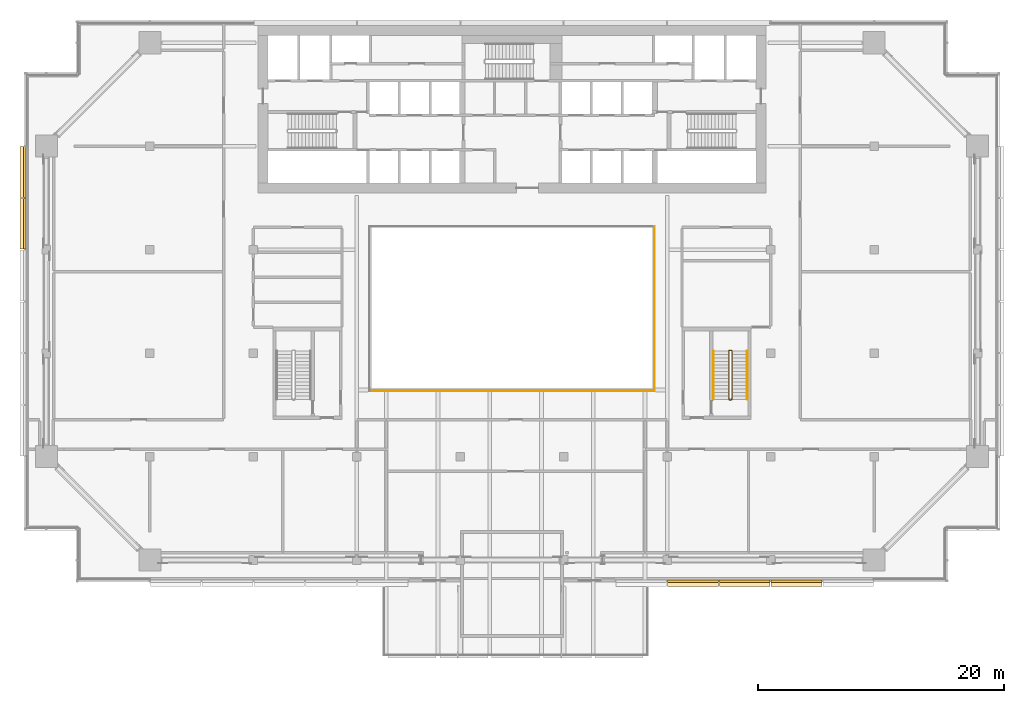
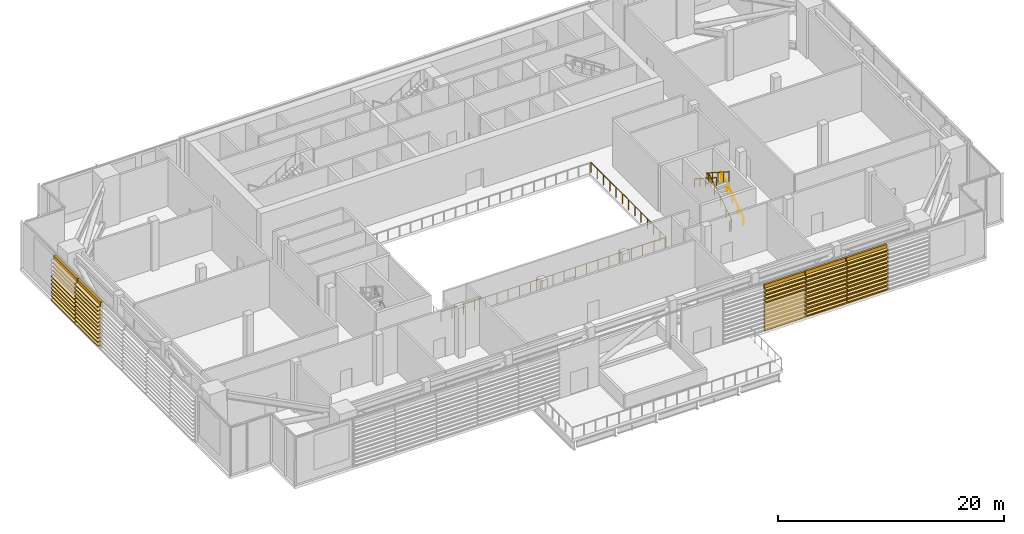
# One storey, part 27 of 29: 49 coverings, 5 railings.
"""IFC4 building model written with IfcOpenShell, lengths in metres."""

from ifc_helpers import new_model, si_unit, direction, frame, origin, origin_2d, place, context, subcontext, project, spatial, polyline, circle, outline, extrude, material, layer, layer_set, type_object, element, save


model = new_model("IFC4")

# Units and contexts
model_context = context("Model", 3, precision=1e-05, world=origin(), true_north=direction((0.0, 1.0)))
body_context = subcontext(model_context, "Body", "Model", "MODEL_VIEW")
ifc_project = project(units=[si_unit("LENGTHUNIT", "METRE"), si_unit("AREAUNIT", "SQUARE_METRE"), si_unit("VOLUMEUNIT", "CUBIC_METRE"), si_unit("PLANEANGLEUNIT", "RADIAN"), si_unit("MASSUNIT", "GRAM", prefix="KILO")], contexts=[model_context])

# Site, building, storey
site_placement = place(None, origin())
site = spatial("IfcSite", under=ifc_project, at=site_placement, CompositionType="ELEMENT")
building_placement = place(site_placement, origin())
building = spatial("IfcBuilding", under=site, at=building_placement, Name="Saffron Gate Tower", CompositionType="ELEMENT")
storey_placement = place(building_placement, frame((0.0, 0.0, 142.050048828125)))
storey = spatial("IfcBuildingStorey", under=building, at=storey_placement, Name="L34", CompositionType="ELEMENT", Elevation=142.050048828125)

# Railings
ifc_material_1 = material(Name="Stainless steel and laminated glass", Category="steel")
railing_type_1 = type_object("IfcRailingType", Name="AG1 Atrium edge guard 1100", PredefinedType="GUARDRAIL", material=ifc_material_1)
railing_1_placement = place(storey_placement, frame((99.179931640625, 58.860107421875, 0.0)))
element("IfcRailing", 1, at=railing_1_placement, inside=storey, type_object=railing_type_1, Name="Guard SL-3", PredefinedType="GUARDRAIL", context=body_context, shape_type="SweptSolid", body=[
    extrude(circle(Radius=0.02392578125, at=origin_2d()), frame((0.0, 0.0, 1.076171875), z_axis=(0.0, -1.0, 0.0), x_axis=(1.0, 0.0, 0.0)), (0.0, 0.0, 1.0), 13.320068359375),
    extrude(circle(Radius=0.02099609375, at=origin_2d()), origin(), (0.0, 0.0, 1.0), 1.052001953125),
    extrude(circle(Radius=0.02099609375, at=origin_2d()), frame((0.0, -1.110107421875, 0.0)), (0.0, 0.0, 1.0), 1.052001953125),
    extrude(circle(Radius=0.02099609375, at=origin_2d()), frame((0.0, -2.219970703125, 0.0)), (0.0, 0.0, 1.0), 1.052001953125),
    extrude(circle(Radius=0.02099609375, at=origin_2d()), frame((0.0, -3.330078125, 0.0)), (0.0, 0.0, 1.0), 1.052001953125),
    extrude(circle(Radius=0.02099609375, at=origin_2d()), frame((0.0, -4.43994140625, 0.0)), (0.0, 0.0, 1.0), 1.052001953125),
    extrude(circle(Radius=0.02099609375, at=origin_2d()), frame((0.0, -5.550048828125, 0.0)), (0.0, 0.0, 1.0), 1.052001953125),
    extrude(circle(Radius=0.02099609375, at=origin_2d()), frame((0.0, -6.66015625, 0.0)), (0.0, 0.0, 1.0), 1.052001953125),
    extrude(circle(Radius=0.02099609375, at=origin_2d()), frame((0.0, -7.77001953125, 0.0)), (0.0, 0.0, 1.0), 1.052001953125),
    extrude(circle(Radius=0.02099609375, at=origin_2d()), frame((0.0, -8.880126953125, 0.0)), (0.0, 0.0, 1.0), 1.052001953125),
    extrude(circle(Radius=0.02099609375, at=origin_2d()), frame((0.0, -9.989990234375, 0.0)), (0.0, 0.0, 1.0), 1.052001953125),
    extrude(circle(Radius=0.02099609375, at=origin_2d()), frame((0.0, -11.10009765625, 0.0)), (0.0, 0.0, 1.0), 1.052001953125),
    extrude(circle(Radius=0.02099609375, at=origin_2d()), frame((0.0, -12.2099609375, 0.0)), (0.0, 0.0, 1.0), 1.052001953125),
    extrude(circle(Radius=0.02099609375, at=origin_2d()), frame((0.0, -13.320068359375, 0.0)), (0.0, 0.0, 1.0), 1.052001953125),
])
railing_2_placement = place(storey_placement, frame((99.06005859375, 45.5400390625, 0.0)))
element("IfcRailing", 2, at=railing_2_placement, inside=storey, type_object=railing_type_1, Name="Guard SL-4", PredefinedType="GUARDRAIL", context=body_context, shape_type="SweptSolid", body=[
    extrude(circle(Radius=0.02392578125, at=origin_2d()), frame((0.0, 0.0, 1.076171875), z_axis=(-1.0, 0.0, 0.0), x_axis=(0.0, -1.0, 0.0)), (0.0, 0.0, 1.0), 22.920166015625),
    extrude(circle(Radius=0.02099609375, at=origin_2d()), origin(), (0.0, 0.0, 1.0), 1.052001953125),
    extrude(circle(Radius=0.02099609375, at=origin_2d()), frame((-1.14599609375, 0.0, 0.0)), (0.0, 0.0, 1.0), 1.052001953125),
    extrude(circle(Radius=0.02099609375, at=origin_2d()), frame((-2.2919921875, 0.0, 0.0)), (0.0, 0.0, 1.0), 1.052001953125),
    extrude(circle(Radius=0.02099609375, at=origin_2d()), frame((-3.43798828125, 0.0, 0.0)), (0.0, 0.0, 1.0), 1.052001953125),
    extrude(circle(Radius=0.02099609375, at=origin_2d()), frame((-4.583984375, 0.0, 0.0)), (0.0, 0.0, 1.0), 1.052001953125),
    extrude(circle(Radius=0.02099609375, at=origin_2d()), frame((-5.72998046875, 0.0, 0.0)), (0.0, 0.0, 1.0), 1.052001953125),
    extrude(circle(Radius=0.02099609375, at=origin_2d()), frame((-6.8759765625, 0.0, 0.0)), (0.0, 0.0, 1.0), 1.052001953125),
    extrude(circle(Radius=0.02099609375, at=origin_2d()), frame((-8.02197265625, 0.0, 0.0)), (0.0, 0.0, 1.0), 1.052001953125),
    extrude(circle(Radius=0.02099609375, at=origin_2d()), frame((-9.16796875, 0.0, 0.0)), (0.0, 0.0, 1.0), 1.052001953125),
    extrude(circle(Radius=0.02099609375, at=origin_2d()), frame((-10.31396484375, 0.0, 0.0)), (0.0, 0.0, 1.0), 1.052001953125),
    extrude(circle(Radius=0.02099609375, at=origin_2d()), frame((-11.4599609375, 0.0, 0.0)), (0.0, 0.0, 1.0), 1.052001953125),
    extrude(circle(Radius=0.02099609375, at=origin_2d()), frame((-12.606201171875, 0.0, 0.0)), (0.0, 0.0, 1.0), 1.052001953125),
    extrude(circle(Radius=0.02099609375, at=origin_2d()), frame((-13.752197265625, 0.0, 0.0)), (0.0, 0.0, 1.0), 1.052001953125),
    extrude(circle(Radius=0.02099609375, at=origin_2d()), frame((-14.898193359375, 0.0, 0.0)), (0.0, 0.0, 1.0), 1.052001953125),
    extrude(circle(Radius=0.02099609375, at=origin_2d()), frame((-16.044189453125, 0.0, 0.0)), (0.0, 0.0, 1.0), 1.052001953125),
    extrude(circle(Radius=0.02099609375, at=origin_2d()), frame((-17.190185546875, 0.0, 0.0)), (0.0, 0.0, 1.0), 1.052001953125),
    extrude(circle(Radius=0.02099609375, at=origin_2d()), frame((-18.336181640625, 0.0, 0.0)), (0.0, 0.0, 1.0), 1.052001953125),
    extrude(circle(Radius=0.02099609375, at=origin_2d()), frame((-19.482177734375, 0.0, 0.0)), (0.0, 0.0, 1.0), 1.052001953125),
    extrude(circle(Radius=0.02099609375, at=origin_2d()), frame((-20.628173828125, 0.0, 0.0)), (0.0, 0.0, 1.0), 1.052001953125),
    extrude(circle(Radius=0.02099609375, at=origin_2d()), frame((-21.774169921875, 0.0, 0.0)), (0.0, 0.0, 1.0), 1.052001953125),
    extrude(circle(Radius=0.02099609375, at=origin_2d()), frame((-22.920166015625, 0.0, 0.0)), (0.0, 0.0, 1.0), 1.052001953125),
])

# Coverings
ifc_material_2 = material(Name="Ceramic-printed bronze insulated panel")
ifc_layer_1 = layer(ifc_material_2, 0.199951171875)
ifc_layer_set_1 = layer_set([ifc_layer_1], Name="CLDB ceramic-printed backed panel 200")
covering_type_1 = type_object("IfcCoveringType", Name="CLDB ceramic-printed backed panel 200", PredefinedType="CLADDING", material=ifc_layer_set_1)
covering_1_placement = place(storey_placement, origin())
element("IfcCovering", 3, at=covering_1_placement, inside=storey, type_object=covering_type_1, Name="CLADDING backed panel behind the braces", PredefinedType="CLADDING", context=body_context, shape_type="SweptSolid", body=[
    extrude(outline(polyline([(100.239990234375, 29.9599609375), (104.360107421875, 29.9599609375), (104.360107421875, 30.159912109375), (100.239990234375, 30.159912109375), (100.239990234375, 29.9599609375)])), origin(), (0.0, 0.0, 1.0), 5.0),
])
covering_2_placement = place(storey_placement, origin())
element("IfcCovering", 4, at=covering_2_placement, inside=storey, type_object=covering_type_1, Name="CLADDING backed panel behind the braces", PredefinedType="CLADDING", context=body_context, shape_type="SweptSolid", body=[
    extrude(outline(polyline([(104.43994140625, 29.9599609375), (108.56005859375, 29.9599609375), (108.56005859375, 30.159912109375), (104.43994140625, 30.159912109375), (104.43994140625, 29.9599609375)])), origin(), (0.0, 0.0, 1.0), 5.0),
])
covering_3_placement = place(storey_placement, origin())
element("IfcCovering", 5, at=covering_3_placement, inside=storey, type_object=covering_type_1, Name="CLADDING backed panel behind the braces", PredefinedType="CLADDING", context=body_context, shape_type="SweptSolid", body=[
    extrude(outline(polyline([(108.639892578125, 29.9599609375), (112.760009765625, 29.9599609375), (112.760009765625, 30.159912109375), (108.639892578125, 30.159912109375), (108.639892578125, 29.9599609375)])), origin(), (0.0, 0.0, 1.0), 5.0),
])
covering_4_placement = place(storey_placement, origin())
element("IfcCovering", 6, at=covering_4_placement, inside=storey, type_object=covering_type_1, Name="CLADDING backed panel behind the braces", PredefinedType="CLADDING", context=body_context, shape_type="SweptSolid", body=[
    extrude(outline(polyline([(47.9599609375, 65.360107421875), (47.9599609375, 61.239990234375), (48.159912109375, 61.239990234375), (48.159912109375, 65.360107421875), (47.9599609375, 65.360107421875)])), origin(), (0.0, 0.0, 1.0), 5.0),
])
covering_5_placement = place(storey_placement, origin())
element("IfcCovering", 7, at=covering_5_placement, inside=storey, type_object=covering_type_1, Name="CLADDING backed panel behind the braces", PredefinedType="CLADDING", context=body_context, shape_type="SweptSolid", body=[
    extrude(outline(polyline([(47.9599609375, 61.159912109375), (47.9599609375, 57.0400390625), (48.159912109375, 57.0400390625), (48.159912109375, 61.159912109375), (47.9599609375, 61.159912109375)])), origin(), (0.0, 0.0, 1.0), 5.0),
])

# Railings
railing_type_2 = type_object("IfcRailingType", Name="CR1 Stair guard 1100", PredefinedType="GUARDRAIL", material=ifc_material_1)
railing_3_placement = place(storey_placement, frame((105.25, 44.800048828125, 0.0)))
element("IfcRailing", 8, at=railing_3_placement, inside=storey, type_object=railing_type_2, Name="L34 ST-E stair guard 1", PredefinedType="GUARDRAIL", context=body_context, shape_type="SweptSolid", body=[
    extrude(circle(Radius=0.02392578125, at=origin_2d()), frame((0.0, 0.0, 1.076171875), z_axis=(1.0, 0.0, 0.0), x_axis=(0.0, 1.0, 0.0)), (0.0, 0.0, 1.0), 0.14990234375),
    extrude(circle(Radius=0.02392578125, at=origin_2d()), frame((0.14990234375, 0.0, 1.076171875), z_axis=(0.258847668887, 0.258847668887, 0.930588936439), x_axis=(-0.707106781187, 0.707106781187, 0.0)), (0.0, 0.0, 1.0), 0.193359375),
    extrude(circle(Radius=0.02392578125, at=origin_2d()), frame((0.199951171875, 0.050048828125, 1.255859375), z_axis=(0.0, 0.841171666519, 0.540768182723), x_axis=(-1.0, 0.0, 0.0)), (0.0, 0.0, 1.0), 4.66015625),
    extrude(circle(Radius=0.02392578125, at=origin_2d()), frame((0.199951171875, 3.969970703125, 3.77587890625), z_axis=(-0.707106781187, 0.707106781187, 0.0), x_axis=(-0.707106781187, -0.707106781187, 0.0)), (0.0, 0.0, 1.0), 0.07080078125),
    extrude(circle(Radius=0.02392578125, at=origin_2d()), frame((0.14990234375, 4.02001953125, 3.77587890625), z_axis=(-1.0, 0.0, 0.0), x_axis=(0.0, -1.0, 0.0)), (0.0, 0.0, 1.0), 0.14990234375),
    extrude(circle(Radius=0.02392578125, at=origin_2d()), frame((0.0, 4.02001953125, 3.77587890625), z_axis=(-0.258847668887, -0.258847668887, 0.930588936439), x_axis=(0.707106781187, -0.707106781187, 0.0)), (0.0, 0.0, 1.0), 0.193359375),
    extrude(circle(Radius=0.02392578125, at=origin_2d()), frame((-0.050048828125, 3.969970703125, 3.9560546875), z_axis=(0.0, -0.841171666519, 0.540768182723), x_axis=(1.0, 0.0, 0.0)), (0.0, 0.0, 1.0), 4.66015625),
    extrude(circle(Radius=0.02099609375, at=origin_2d()), origin(), (0.0, 0.0, 1.0), 1.052001953125),
    extrude(circle(Radius=0.02099609375, at=origin_2d()), frame((0.14990234375, 0.0, 0.0)), (0.0, 0.0, 1.0), 1.052001953125),
    extrude(circle(Radius=0.02099609375, at=origin_2d()), frame((0.199951171875, 0.050048828125, 0.179931640625)), (0.0, 0.0, 1.0), 1.052001953125),
    extrude(circle(Radius=0.02099609375, at=origin_2d()), frame((0.199951171875, 1.030029296875, 0.81005859375)), (0.0, 0.0, 1.0), 1.052001953125),
    extrude(circle(Radius=0.02099609375, at=origin_2d()), frame((0.199951171875, 2.010009765625, 1.43994140625)), (0.0, 0.0, 1.0), 1.052001953125),
    extrude(circle(Radius=0.02099609375, at=origin_2d()), frame((0.199951171875, 2.989990234375, 2.06982421875)), (0.0, 0.0, 1.0), 1.052001953125),
    extrude(circle(Radius=0.02099609375, at=origin_2d()), frame((0.199951171875, 3.969970703125, 2.699951171875)), (0.0, 0.0, 1.0), 1.052001953125),
    extrude(circle(Radius=0.02099609375, at=origin_2d()), frame((0.14990234375, 4.02001953125, 2.699951171875)), (0.0, 0.0, 1.0), 1.052001953125),
    extrude(circle(Radius=0.02099609375, at=origin_2d()), frame((0.0, 4.02001953125, 2.699951171875)), (0.0, 0.0, 1.0), 1.052001953125),
    extrude(circle(Radius=0.02099609375, at=origin_2d()), frame((-0.050048828125, 3.969970703125, 2.8798828125)), (0.0, 0.0, 1.0), 1.052001953125),
    extrude(circle(Radius=0.02099609375, at=origin_2d()), frame((-0.050048828125, 2.989990234375, 3.509765625)), (0.0, 0.0, 1.0), 1.052001953125),
    extrude(circle(Radius=0.02099609375, at=origin_2d()), frame((-0.050048828125, 2.010009765625, 4.139892578125)), (0.0, 0.0, 1.0), 1.052001953125),
    extrude(circle(Radius=0.02099609375, at=origin_2d()), frame((-0.050048828125, 1.030029296875, 4.77001953125)), (0.0, 0.0, 1.0), 1.052001953125),
    extrude(circle(Radius=0.02099609375, at=origin_2d()), frame((-0.050048828125, 0.050048828125, 5.39990234375)), (0.0, 0.0, 1.0), 1.052001953125),
])
ifc_material_3 = material(Name="Stainless steel", Category="steel")
railing_type_3 = type_object("IfcRailingType", Name="CR2 Stair handrail 900", PredefinedType="HANDRAIL", material=ifc_material_3)
railing_4_placement = place(storey_placement, frame((106.699951171875, 44.85009765625, 0.179931640625)))
element("IfcRailing", 9, at=railing_4_placement, inside=storey, type_object=railing_type_3, Name="L34 ST-E stair handrail 1", PredefinedType="HANDRAIL", context=body_context, shape_type="SweptSolid", body=[
    extrude(circle(Radius=0.02392578125, at=origin_2d()), frame((0.0, 0.0, 0.8759765625), z_axis=(0.0, 0.841171666519, 0.540768182723), x_axis=(-1.0, 0.0, 0.0)), (0.0, 0.0, 1.0), 4.66015625),
    extrude(circle(Radius=0.02099609375, at=origin_2d()), origin(), (0.0, 0.0, 1.0), 0.851806640625),
    extrude(circle(Radius=0.02099609375, at=origin_2d()), frame((0.0, 0.97998046875, 0.6298828125)), (0.0, 0.0, 1.0), 0.851806640625),
    extrude(circle(Radius=0.02099609375, at=origin_2d()), frame((0.0, 1.9599609375, 1.260009765625)), (0.0, 0.0, 1.0), 0.851806640625),
    extrude(circle(Radius=0.02099609375, at=origin_2d()), frame((0.0, 2.93994140625, 1.89013671875)), (0.0, 0.0, 1.0), 0.851806640625),
    extrude(circle(Radius=0.02099609375, at=origin_2d()), frame((0.0, 3.919921875, 2.52001953125)), (0.0, 0.0, 1.0), 0.851806640625),
])
railing_5_placement = place(storey_placement, frame((103.949951171875, 48.77001953125, 2.8798828125)))
element("IfcRailing", 10, at=railing_5_placement, inside=storey, type_object=railing_type_3, Name="L34 ST-E stair handrail 2", PredefinedType="HANDRAIL", context=body_context, shape_type="SweptSolid", body=[
    extrude(circle(Radius=0.02392578125, at=origin_2d()), frame((0.0, 0.0, 0.8759765625), z_axis=(0.0, -0.841171666519, 0.540768182723), x_axis=(1.0, 0.0, 0.0)), (0.0, 0.0, 1.0), 4.66015625),
    extrude(circle(Radius=0.02099609375, at=origin_2d()), origin(), (0.0, 0.0, 1.0), 0.851806640625),
    extrude(circle(Radius=0.02099609375, at=origin_2d()), frame((0.0, -0.97998046875, 0.6298828125)), (0.0, 0.0, 1.0), 0.851806640625),
    extrude(circle(Radius=0.02099609375, at=origin_2d()), frame((0.0, -1.9599609375, 1.260009765625)), (0.0, 0.0, 1.0), 0.851806640625),
    extrude(circle(Radius=0.02099609375, at=origin_2d()), frame((0.0, -2.93994140625, 1.89013671875)), (0.0, 0.0, 1.0), 0.851806640625),
    extrude(circle(Radius=0.02099609375, at=origin_2d()), frame((0.0, -3.919921875, 2.52001953125)), (0.0, 0.0, 1.0), 0.851806640625),
])

# Coverings
ifc_layer_2 = layer(ifc_material_2, 0.1201171875)
ifc_layer_set_2 = layer_set([ifc_layer_2], Name="LV1 louvre slat 300")
covering_type_2 = type_object("IfcCoveringType", Name="LV1 louvre slat 300", PredefinedType="CLADDING", material=ifc_layer_set_2)
covering_6_placement = place(storey_placement, frame((0.0, 0.0, 3.239990234375)))
element("IfcCovering", 11, at=covering_6_placement, inside=storey, type_object=covering_type_2, Name="CLADDING louvre slat in front of the outrigger truss", PredefinedType="CLADDING", context=body_context, shape_type="SweptSolid", body=[
    extrude(outline(polyline([(100.239990234375, 29.659912109375), (104.360107421875, 29.659912109375), (104.360107421875, 29.9599609375), (100.239990234375, 29.9599609375), (100.239990234375, 29.659912109375)])), origin(), (0.0, 0.0, 1.0), 0.119873046875),
])
for number, where, name in (
    (12, (0.0, 0.0, 3.659912109375), "CLADDING louvre slat in front of the outrigger truss"),
    (13, (0.0, 0.0, 4.079833984375), "CLADDING louvre slat in front of the outrigger truss"),
):
    element("IfcCovering", number, at=place(storey_placement, frame(where)), inside=storey, type_object=covering_type_2, Name=name, PredefinedType="CLADDING", context=body_context, shape_type="SweptSolid", body=[
        extrude(outline(polyline([(100.239990234375, 29.659912109375), (104.360107421875, 29.659912109375), (104.360107421875, 29.9599609375), (100.239990234375, 29.9599609375), (100.239990234375, 29.659912109375)])), origin(), (0.0, 0.0, 1.0), 0.1201171875),
    ])
covering_7_placement = place(storey_placement, frame((0.0, 0.0, 4.5)))
element("IfcCovering", 14, at=covering_7_placement, inside=storey, type_object=covering_type_2, Name="CLADDING louvre slat in front of the outrigger truss", PredefinedType="CLADDING", context=body_context, shape_type="SweptSolid", body=[
    extrude(outline(polyline([(100.239990234375, 29.659912109375), (104.360107421875, 29.659912109375), (104.360107421875, 29.9599609375), (100.239990234375, 29.9599609375), (100.239990234375, 29.659912109375)])), origin(), (0.0, 0.0, 1.0), 0.119873046875),
])
for number, where, name in (
    (15, (0.0, 0.0, 0.300048828125), "CLADDING louvre slat in front of the outrigger truss"),
    (16, (0.0, 0.0, 0.719970703125), "CLADDING louvre slat in front of the outrigger truss"),
):
    element("IfcCovering", number, at=place(storey_placement, frame(where)), inside=storey, type_object=covering_type_2, Name=name, PredefinedType="CLADDING", context=body_context, shape_type="SweptSolid", body=[
        extrude(outline(polyline([(104.43994140625, 29.659912109375), (108.56005859375, 29.659912109375), (108.56005859375, 29.9599609375), (104.43994140625, 29.9599609375), (104.43994140625, 29.659912109375)])), origin(), (0.0, 0.0, 1.0), 0.119873046875),
    ])
covering_8_placement = place(storey_placement, frame((0.0, 0.0, 1.139892578125)))
element("IfcCovering", 17, at=covering_8_placement, inside=storey, type_object=covering_type_2, Name="CLADDING louvre slat in front of the outrigger truss", PredefinedType="CLADDING", context=body_context, shape_type="SweptSolid", body=[
    extrude(outline(polyline([(104.43994140625, 29.659912109375), (108.56005859375, 29.659912109375), (108.56005859375, 29.9599609375), (104.43994140625, 29.9599609375), (104.43994140625, 29.659912109375)])), origin(), (0.0, 0.0, 1.0), 0.1201171875),
])
for number, where, name in (
    (18, (0.0, 0.0, 1.56005859375), "CLADDING louvre slat in front of the outrigger truss"),
    (19, (0.0, 0.0, 1.97998046875), "CLADDING louvre slat in front of the outrigger truss"),
):
    element("IfcCovering", number, at=place(storey_placement, frame(where)), inside=storey, type_object=covering_type_2, Name=name, PredefinedType="CLADDING", context=body_context, shape_type="SweptSolid", body=[
        extrude(outline(polyline([(104.43994140625, 29.659912109375), (108.56005859375, 29.659912109375), (108.56005859375, 29.9599609375), (104.43994140625, 29.9599609375), (104.43994140625, 29.659912109375)])), origin(), (0.0, 0.0, 1.0), 0.119873046875),
    ])
covering_9_placement = place(storey_placement, frame((0.0, 0.0, 2.39990234375)))
element("IfcCovering", 20, at=covering_9_placement, inside=storey, type_object=covering_type_2, Name="CLADDING louvre slat in front of the outrigger truss", PredefinedType="CLADDING", context=body_context, shape_type="SweptSolid", body=[
    extrude(outline(polyline([(104.43994140625, 29.659912109375), (108.56005859375, 29.659912109375), (108.56005859375, 29.9599609375), (104.43994140625, 29.9599609375), (104.43994140625, 29.659912109375)])), origin(), (0.0, 0.0, 1.0), 0.1201171875),
])
for number, where, name in (
    (21, (0.0, 0.0, 2.820068359375), "CLADDING louvre slat in front of the outrigger truss"),
    (22, (0.0, 0.0, 3.239990234375), "CLADDING louvre slat in front of the outrigger truss"),
):
    element("IfcCovering", number, at=place(storey_placement, frame(where)), inside=storey, type_object=covering_type_2, Name=name, PredefinedType="CLADDING", context=body_context, shape_type="SweptSolid", body=[
        extrude(outline(polyline([(104.43994140625, 29.659912109375), (108.56005859375, 29.659912109375), (108.56005859375, 29.9599609375), (104.43994140625, 29.9599609375), (104.43994140625, 29.659912109375)])), origin(), (0.0, 0.0, 1.0), 0.119873046875),
    ])
for number, where, name in (
    (23, (0.0, 0.0, 3.659912109375), "CLADDING louvre slat in front of the outrigger truss"),
    (24, (0.0, 0.0, 4.079833984375), "CLADDING louvre slat in front of the outrigger truss"),
):
    element("IfcCovering", number, at=place(storey_placement, frame(where)), inside=storey, type_object=covering_type_2, Name=name, PredefinedType="CLADDING", context=body_context, shape_type="SweptSolid", body=[
        extrude(outline(polyline([(104.43994140625, 29.659912109375), (108.56005859375, 29.659912109375), (108.56005859375, 29.9599609375), (104.43994140625, 29.9599609375), (104.43994140625, 29.659912109375)])), origin(), (0.0, 0.0, 1.0), 0.1201171875),
    ])
covering_10_placement = place(storey_placement, frame((0.0, 0.0, 4.5)))
element("IfcCovering", 25, at=covering_10_placement, inside=storey, type_object=covering_type_2, Name="CLADDING louvre slat in front of the outrigger truss", PredefinedType="CLADDING", context=body_context, shape_type="SweptSolid", body=[
    extrude(outline(polyline([(104.43994140625, 29.659912109375), (108.56005859375, 29.659912109375), (108.56005859375, 29.9599609375), (104.43994140625, 29.9599609375), (104.43994140625, 29.659912109375)])), origin(), (0.0, 0.0, 1.0), 0.119873046875),
])
for number, where, name in (
    (26, (0.0, 0.0, 0.300048828125), "CLADDING louvre slat in front of the outrigger truss"),
    (27, (0.0, 0.0, 0.719970703125), "CLADDING louvre slat in front of the outrigger truss"),
):
    element("IfcCovering", number, at=place(storey_placement, frame(where)), inside=storey, type_object=covering_type_2, Name=name, PredefinedType="CLADDING", context=body_context, shape_type="SweptSolid", body=[
        extrude(outline(polyline([(108.639892578125, 29.659912109375), (112.760009765625, 29.659912109375), (112.760009765625, 29.9599609375), (108.639892578125, 29.9599609375), (108.639892578125, 29.659912109375)])), origin(), (0.0, 0.0, 1.0), 0.119873046875),
    ])
covering_11_placement = place(storey_placement, frame((0.0, 0.0, 1.139892578125)))
element("IfcCovering", 28, at=covering_11_placement, inside=storey, type_object=covering_type_2, Name="CLADDING louvre slat in front of the outrigger truss", PredefinedType="CLADDING", context=body_context, shape_type="SweptSolid", body=[
    extrude(outline(polyline([(108.639892578125, 29.659912109375), (112.760009765625, 29.659912109375), (112.760009765625, 29.9599609375), (108.639892578125, 29.9599609375), (108.639892578125, 29.659912109375)])), origin(), (0.0, 0.0, 1.0), 0.1201171875),
])
for number, where, name in (
    (29, (0.0, 0.0, 1.56005859375), "CLADDING louvre slat in front of the outrigger truss"),
    (30, (0.0, 0.0, 1.97998046875), "CLADDING louvre slat in front of the outrigger truss"),
):
    element("IfcCovering", number, at=place(storey_placement, frame(where)), inside=storey, type_object=covering_type_2, Name=name, PredefinedType="CLADDING", context=body_context, shape_type="SweptSolid", body=[
        extrude(outline(polyline([(108.639892578125, 29.659912109375), (112.760009765625, 29.659912109375), (112.760009765625, 29.9599609375), (108.639892578125, 29.9599609375), (108.639892578125, 29.659912109375)])), origin(), (0.0, 0.0, 1.0), 0.119873046875),
    ])
covering_12_placement = place(storey_placement, frame((0.0, 0.0, 2.39990234375)))
element("IfcCovering", 31, at=covering_12_placement, inside=storey, type_object=covering_type_2, Name="CLADDING louvre slat in front of the outrigger truss", PredefinedType="CLADDING", context=body_context, shape_type="SweptSolid", body=[
    extrude(outline(polyline([(108.639892578125, 29.659912109375), (112.760009765625, 29.659912109375), (112.760009765625, 29.9599609375), (108.639892578125, 29.9599609375), (108.639892578125, 29.659912109375)])), origin(), (0.0, 0.0, 1.0), 0.1201171875),
])
for number, where, name in (
    (32, (0.0, 0.0, 2.820068359375), "CLADDING louvre slat in front of the outrigger truss"),
    (33, (0.0, 0.0, 3.239990234375), "CLADDING louvre slat in front of the outrigger truss"),
):
    element("IfcCovering", number, at=place(storey_placement, frame(where)), inside=storey, type_object=covering_type_2, Name=name, PredefinedType="CLADDING", context=body_context, shape_type="SweptSolid", body=[
        extrude(outline(polyline([(108.639892578125, 29.659912109375), (112.760009765625, 29.659912109375), (112.760009765625, 29.9599609375), (108.639892578125, 29.9599609375), (108.639892578125, 29.659912109375)])), origin(), (0.0, 0.0, 1.0), 0.119873046875),
    ])
for number, where, name in (
    (34, (0.0, 0.0, 3.659912109375), "CLADDING louvre slat in front of the outrigger truss"),
    (35, (0.0, 0.0, 4.079833984375), "CLADDING louvre slat in front of the outrigger truss"),
):
    element("IfcCovering", number, at=place(storey_placement, frame(where)), inside=storey, type_object=covering_type_2, Name=name, PredefinedType="CLADDING", context=body_context, shape_type="SweptSolid", body=[
        extrude(outline(polyline([(108.639892578125, 29.659912109375), (112.760009765625, 29.659912109375), (112.760009765625, 29.9599609375), (108.639892578125, 29.9599609375), (108.639892578125, 29.659912109375)])), origin(), (0.0, 0.0, 1.0), 0.1201171875),
    ])
covering_13_placement = place(storey_placement, frame((0.0, 0.0, 4.5)))
element("IfcCovering", 36, at=covering_13_placement, inside=storey, type_object=covering_type_2, Name="CLADDING louvre slat in front of the outrigger truss", PredefinedType="CLADDING", context=body_context, shape_type="SweptSolid", body=[
    extrude(outline(polyline([(108.639892578125, 29.659912109375), (112.760009765625, 29.659912109375), (112.760009765625, 29.9599609375), (108.639892578125, 29.9599609375), (108.639892578125, 29.659912109375)])), origin(), (0.0, 0.0, 1.0), 0.119873046875),
])
for number, where, name in (
    (37, (0.0, 0.0, 0.300048828125), "CLADDING louvre slat in front of the outrigger truss"),
    (38, (0.0, 0.0, 0.719970703125), "CLADDING louvre slat in front of the outrigger truss"),
):
    element("IfcCovering", number, at=place(storey_placement, frame(where)), inside=storey, type_object=covering_type_2, Name=name, PredefinedType="CLADDING", context=body_context, shape_type="SweptSolid", body=[
        extrude(outline(polyline([(47.659912109375, 65.360107421875), (47.659912109375, 61.239990234375), (47.9599609375, 61.239990234375), (47.9599609375, 65.360107421875), (47.659912109375, 65.360107421875)])), origin(), (0.0, 0.0, 1.0), 0.119873046875),
    ])
covering_14_placement = place(storey_placement, frame((0.0, 0.0, 1.139892578125)))
element("IfcCovering", 39, at=covering_14_placement, inside=storey, type_object=covering_type_2, Name="CLADDING louvre slat in front of the outrigger truss", PredefinedType="CLADDING", context=body_context, shape_type="SweptSolid", body=[
    extrude(outline(polyline([(47.659912109375, 65.360107421875), (47.659912109375, 61.239990234375), (47.9599609375, 61.239990234375), (47.9599609375, 65.360107421875), (47.659912109375, 65.360107421875)])), origin(), (0.0, 0.0, 1.0), 0.1201171875),
])
for number, where, name in (
    (40, (0.0, 0.0, 1.56005859375), "CLADDING louvre slat in front of the outrigger truss"),
    (41, (0.0, 0.0, 1.97998046875), "CLADDING louvre slat in front of the outrigger truss"),
):
    element("IfcCovering", number, at=place(storey_placement, frame(where)), inside=storey, type_object=covering_type_2, Name=name, PredefinedType="CLADDING", context=body_context, shape_type="SweptSolid", body=[
        extrude(outline(polyline([(47.659912109375, 65.360107421875), (47.659912109375, 61.239990234375), (47.9599609375, 61.239990234375), (47.9599609375, 65.360107421875), (47.659912109375, 65.360107421875)])), origin(), (0.0, 0.0, 1.0), 0.119873046875),
    ])
covering_15_placement = place(storey_placement, frame((0.0, 0.0, 2.39990234375)))
element("IfcCovering", 42, at=covering_15_placement, inside=storey, type_object=covering_type_2, Name="CLADDING louvre slat in front of the outrigger truss", PredefinedType="CLADDING", context=body_context, shape_type="SweptSolid", body=[
    extrude(outline(polyline([(47.659912109375, 65.360107421875), (47.659912109375, 61.239990234375), (47.9599609375, 61.239990234375), (47.9599609375, 65.360107421875), (47.659912109375, 65.360107421875)])), origin(), (0.0, 0.0, 1.0), 0.1201171875),
])
covering_16_placement = place(storey_placement, frame((0.0, 0.0, 2.820068359375)))
element("IfcCovering", 43, at=covering_16_placement, inside=storey, type_object=covering_type_2, Name="CLADDING louvre slat in front of the outrigger truss", PredefinedType="CLADDING", context=body_context, shape_type="SweptSolid", body=[
    extrude(outline(polyline([(47.659912109375, 65.360107421875), (47.659912109375, 61.239990234375), (47.9599609375, 61.239990234375), (47.9599609375, 65.360107421875), (47.659912109375, 65.360107421875)])), origin(), (0.0, 0.0, 1.0), 0.119873046875),
])
for number, where, name in (
    (44, (0.0, 0.0, 0.300048828125), "CLADDING louvre slat in front of the outrigger truss"),
    (45, (0.0, 0.0, 0.719970703125), "CLADDING louvre slat in front of the outrigger truss"),
):
    element("IfcCovering", number, at=place(storey_placement, frame(where)), inside=storey, type_object=covering_type_2, Name=name, PredefinedType="CLADDING", context=body_context, shape_type="SweptSolid", body=[
        extrude(outline(polyline([(47.659912109375, 61.159912109375), (47.659912109375, 57.0400390625), (47.9599609375, 57.0400390625), (47.9599609375, 61.159912109375), (47.659912109375, 61.159912109375)])), origin(), (0.0, 0.0, 1.0), 0.119873046875),
    ])
covering_17_placement = place(storey_placement, frame((0.0, 0.0, 1.139892578125)))
element("IfcCovering", 46, at=covering_17_placement, inside=storey, type_object=covering_type_2, Name="CLADDING louvre slat in front of the outrigger truss", PredefinedType="CLADDING", context=body_context, shape_type="SweptSolid", body=[
    extrude(outline(polyline([(47.659912109375, 61.159912109375), (47.659912109375, 57.0400390625), (47.9599609375, 57.0400390625), (47.9599609375, 61.159912109375), (47.659912109375, 61.159912109375)])), origin(), (0.0, 0.0, 1.0), 0.1201171875),
])
for number, where, name in (
    (47, (0.0, 0.0, 1.56005859375), "CLADDING louvre slat in front of the outrigger truss"),
    (48, (0.0, 0.0, 1.97998046875), "CLADDING louvre slat in front of the outrigger truss"),
):
    element("IfcCovering", number, at=place(storey_placement, frame(where)), inside=storey, type_object=covering_type_2, Name=name, PredefinedType="CLADDING", context=body_context, shape_type="SweptSolid", body=[
        extrude(outline(polyline([(47.659912109375, 61.159912109375), (47.659912109375, 57.0400390625), (47.9599609375, 57.0400390625), (47.9599609375, 61.159912109375), (47.659912109375, 61.159912109375)])), origin(), (0.0, 0.0, 1.0), 0.119873046875),
    ])
covering_18_placement = place(storey_placement, frame((0.0, 0.0, 2.39990234375)))
element("IfcCovering", 49, at=covering_18_placement, inside=storey, type_object=covering_type_2, Name="CLADDING louvre slat in front of the outrigger truss", PredefinedType="CLADDING", context=body_context, shape_type="SweptSolid", body=[
    extrude(outline(polyline([(47.659912109375, 61.159912109375), (47.659912109375, 57.0400390625), (47.9599609375, 57.0400390625), (47.9599609375, 61.159912109375), (47.659912109375, 61.159912109375)])), origin(), (0.0, 0.0, 1.0), 0.1201171875),
])
for number, where, name in (
    (50, (0.0, 0.0, 2.820068359375), "CLADDING louvre slat in front of the outrigger truss"),
    (51, (0.0, 0.0, 3.239990234375), "CLADDING louvre slat in front of the outrigger truss"),
):
    element("IfcCovering", number, at=place(storey_placement, frame(where)), inside=storey, type_object=covering_type_2, Name=name, PredefinedType="CLADDING", context=body_context, shape_type="SweptSolid", body=[
        extrude(outline(polyline([(47.659912109375, 61.159912109375), (47.659912109375, 57.0400390625), (47.9599609375, 57.0400390625), (47.9599609375, 61.159912109375), (47.659912109375, 61.159912109375)])), origin(), (0.0, 0.0, 1.0), 0.119873046875),
    ])
for number, where, name in (
    (52, (0.0, 0.0, 3.659912109375), "CLADDING louvre slat in front of the outrigger truss"),
    (53, (0.0, 0.0, 4.079833984375), "CLADDING louvre slat in front of the outrigger truss"),
):
    element("IfcCovering", number, at=place(storey_placement, frame(where)), inside=storey, type_object=covering_type_2, Name=name, PredefinedType="CLADDING", context=body_context, shape_type="SweptSolid", body=[
        extrude(outline(polyline([(47.659912109375, 61.159912109375), (47.659912109375, 57.0400390625), (47.9599609375, 57.0400390625), (47.9599609375, 61.159912109375), (47.659912109375, 61.159912109375)])), origin(), (0.0, 0.0, 1.0), 0.1201171875),
    ])
covering_19_placement = place(storey_placement, frame((0.0, 0.0, 4.5)))
element("IfcCovering", 54, at=covering_19_placement, inside=storey, type_object=covering_type_2, Name="CLADDING louvre slat in front of the outrigger truss", PredefinedType="CLADDING", context=body_context, shape_type="SweptSolid", body=[
    extrude(outline(polyline([(47.659912109375, 61.159912109375), (47.659912109375, 57.0400390625), (47.9599609375, 57.0400390625), (47.9599609375, 61.159912109375), (47.659912109375, 61.159912109375)])), origin(), (0.0, 0.0, 1.0), 0.119873046875),
])

save(model, "model.ifc")
